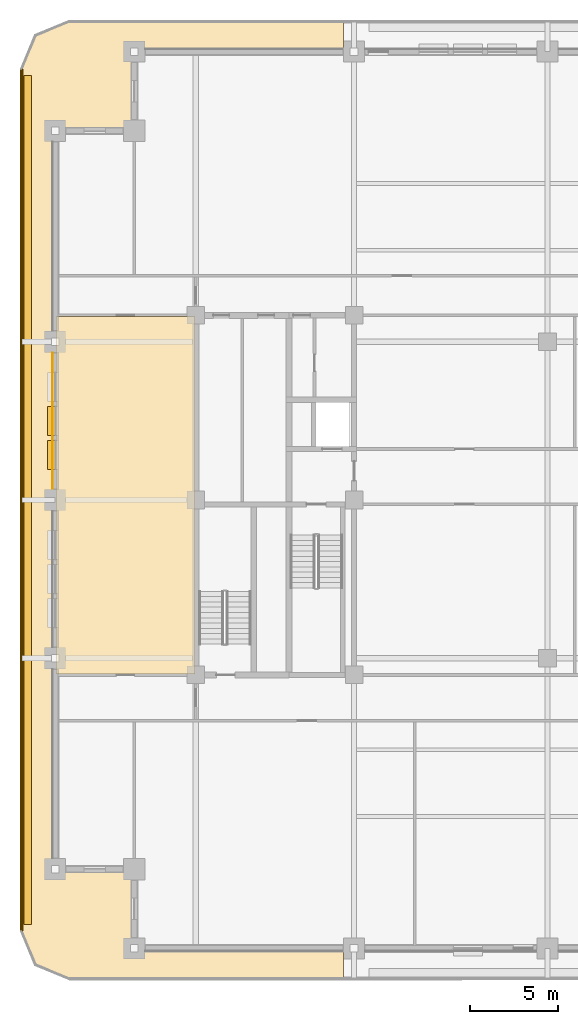
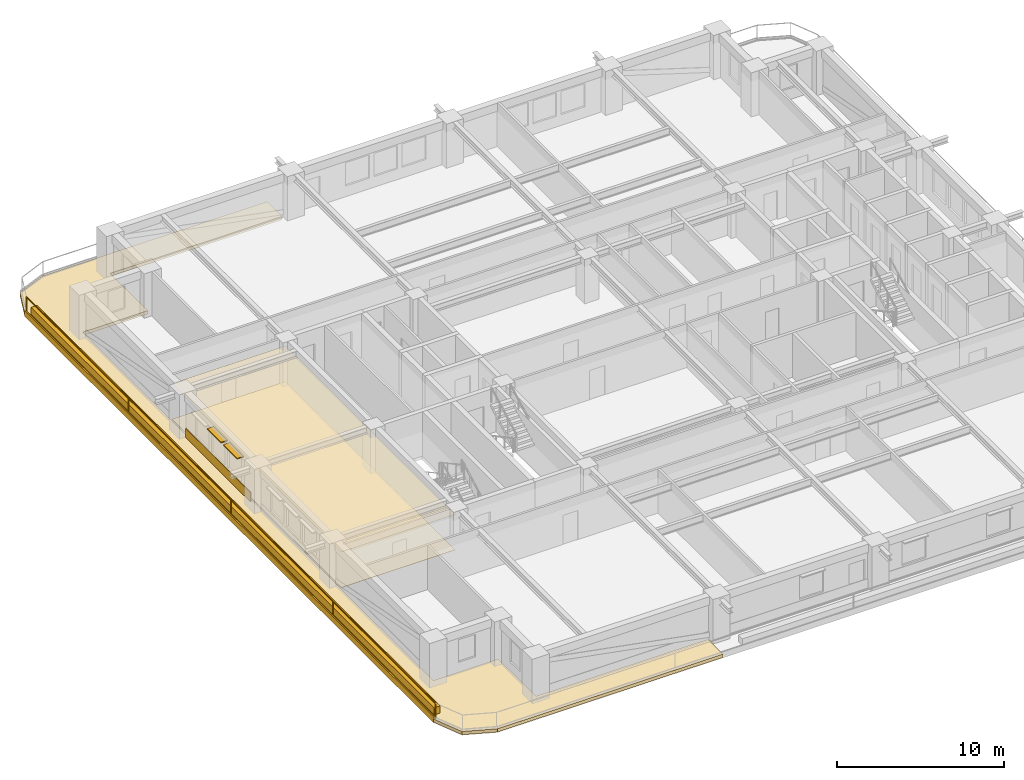
# One storey, part 9 of 15: 6 coverings, 2 shading devices, 1 railing.
"""IFC4 building model written with IfcOpenShell, lengths in metres."""

from ifc_helpers import new_model, si_unit, direction, frame, frame_2d, origin, origin_2d, place, context, subcontext, project, spatial, polyline, rectangle, outline, extrude, material, layer, layer_set, type_object, element, save


model = new_model("IFC4")

# Units and contexts
model_context = context("Model", 3, precision=1e-05, world=origin(), true_north=direction((0.0, 1.0)))
body_context = subcontext(model_context, "Body", "Model", "MODEL_VIEW")
ifc_project = project(units=[si_unit("LENGTHUNIT", "METRE"), si_unit("AREAUNIT", "SQUARE_METRE"), si_unit("VOLUMEUNIT", "CUBIC_METRE"), si_unit("PLANEANGLEUNIT", "RADIAN"), si_unit("MASSUNIT", "GRAM", prefix="KILO")], contexts=[model_context])

# Site, building, storey
site_placement = place(None, origin())
site = spatial("IfcSite", under=ifc_project, at=site_placement, CompositionType="ELEMENT")
building_placement = place(site_placement, origin())
building = spatial("IfcBuilding", under=site, at=building_placement, Name="Zulmaris Gate Convention Tower", CompositionType="ELEMENT")
storey_placement = place(building_placement, frame((0.0, 0.0, 139.199951171875)))
storey = spatial("IfcBuildingStorey", under=building, at=storey_placement, Name="L35", CompositionType="ELEMENT", Elevation=139.199951171875)

# Coverings
ifc_material_1 = material(Name="Precast concrete C40/50", Category="concrete")
ifc_layer_1 = layer(ifc_material_1, 0.0400390625, Name="Precast concrete C40/50")
ifc_layer_set_1 = layer_set([ifc_layer_1], Name="Precast concrete C40/50")
covering_type_1 = type_object("IfcCoveringType", Name="CLAD-SPANDREL-PRECAST", PredefinedType="CLADDING", material=ifc_layer_set_1)
covering_1_placement = place(storey_placement, frame((-28.14990234375, 8.3701171875, 0.0), z_axis=(0.0, 0.0, 1.0), x_axis=(0.0, -1.0, 0.0)))
element("IfcCovering", 1, at=covering_1_placement, inside=storey, type_object=covering_type_1, Name="CLD-L35-W-2_0", PredefinedType="CLADDING", context=body_context, shape_type="SweptSolid", body=[
    extrude(rectangle(XDim=7.740234375, YDim=0.0400390625, at=frame_2d((3.8701171875, 0.0))), origin(), (0.0, 0.0, 1.0), 0.679931640625),
])
ifc_material_2 = material(Name="White Glazed Architectural Precast Concrete C40/50", Category="concrete")
ifc_layer_2 = layer(ifc_material_2, 0.239990234375, Name="White Glazed Architectural Precast Concrete C40/50")
ifc_layer_set_2 = layer_set([ifc_layer_2], Name="White Glazed Architectural Precast Concrete C40/50")
covering_type_2 = type_object("IfcCoveringType", Name="CLAD-TRAY-DECK", PredefinedType="CLADDING", material=ifc_layer_set_2)
covering_2_placement = place(storey_placement, frame((0.0, 0.0, -0.25)))
element("IfcCovering", 2, at=covering_2_placement, inside=storey, type_object=covering_type_2, Name="L35 West Rounded-Fascia Planter Tray Deck", PredefinedType="CLADDING", context=body_context, shape_type="SweptSolid", body=[
    extrude(outline(polyline([(-30.0, 24.5), (-29.179931640625, 26.47998046875), (-27.199951171875, 27.300048828125), (-11.60205078125, 27.300048828125), (-11.60205078125, 25.5), (-23.5, 25.5), (-23.5, 21.0), (-28.0, 21.0), (-28.0, -21.0), (-23.5, -21.0), (-23.5, -25.5), (-11.60205078125, -25.5), (-11.60205078125, -27.300048828125), (-27.199951171875, -27.300048828125), (-29.179931640625, -26.47998046875), (-30.0, -24.5), (-30.0, 24.5)])), origin(), (0.0, 0.0, 1.0), 0.239990234375),
])
ifc_layer_3 = layer(ifc_material_2, 0.080078125, Name="White Glazed Architectural Precast Concrete C40/50")
ifc_layer_set_3 = layer_set([ifc_layer_3], Name="White Glazed Architectural Precast Concrete C40/50")
covering_type_3 = type_object("IfcCoveringType", Name="CLAD-TRAY-FASCIA", PredefinedType="CLADDING", material=ifc_layer_set_3)
covering_3_placement = place(storey_placement, frame((-29.9599609375, 24.5, -0.2900390625), z_axis=(0.0, 0.0, 1.0), x_axis=(0.0, -1.0, 0.0)))
element("IfcCovering", 3, at=covering_3_placement, inside=storey, type_object=covering_type_3, Name="FSC-L35-TR-11", PredefinedType="CLADDING", context=body_context, shape_type="SweptSolid", body=[
    extrude(rectangle(XDim=49.0, YDim=0.080078125, at=frame_2d((24.5, 0.0))), origin(), (0.0, 0.0, 1.0), 0.440185546875),
])
ifc_material_3 = material(Name="Mineral Fibre Acoustic Ceiling Tile")
ifc_layer_4 = layer(ifc_material_3, 0.02001953125, Name="Mineral Fibre Acoustic Ceiling Tile")
ifc_layer_set_4 = layer_set([ifc_layer_4], Name="Mineral Fibre Acoustic Ceiling Tile")
covering_type_4 = type_object("IfcCoveringType", Name="CLG-ACOUSTIC-600", PredefinedType="CEILING", material=ifc_layer_set_4)
covering_4_placement = place(storey_placement, frame((0.0, 0.0, 2.604736328125)))
element("IfcCovering", 4, at=covering_4_placement, inside=storey, type_object=covering_type_4, Name="CLG-L35-R47", PredefinedType="CEILING", context=body_context, shape_type="SweptSolid", body=[
    extrude(outline(polyline([(-27.93994140625, -9.889892578125), (-20.06005859375, -9.889892578125), (-20.06005859375, 10.43994140625), (-27.93994140625, 10.43994140625), (-27.93994140625, -9.889892578125)])), origin(), (0.0, 0.0, 1.0), 0.02001953125),
])
ifc_material_4 = material(Name="Woven Acoustic Wool Carpet Tile")
ifc_layer_5 = layer(ifc_material_4, 0.02001953125, Name="Woven Acoustic Wool Carpet Tile")
ifc_layer_set_5 = layer_set([ifc_layer_5], Name="Woven Acoustic Wool Carpet Tile")
covering_type_5 = type_object("IfcCoveringType", Name="FLR-CARPET-12", PredefinedType="FLOORING", material=ifc_layer_set_5)
covering_5_placement = place(storey_placement, origin())
element("IfcCovering", 5, at=covering_5_placement, inside=storey, type_object=covering_type_5, Name="FLR-L35-R47", PredefinedType="FLOORING", context=body_context, shape_type="SweptSolid", body=[
    extrude(outline(polyline([(-27.93994140625, -9.889892578125), (-20.06005859375, -9.889892578125), (-20.06005859375, 10.43994140625), (-27.93994140625, 10.43994140625), (-27.93994140625, -9.889892578125)])), origin(), (0.0, 0.0, 1.0), 0.02001953125),
])
ifc_material_5 = material(Name="Botanical Green Glazed Precast Concrete C40/50", Category="concrete")
ifc_layer_6 = layer(ifc_material_5, 0.419921875, Name="Botanical Green Glazed Precast Concrete C40/50")
ifc_layer_set_6 = layer_set([ifc_layer_6], Name="Botanical Green Glazed Precast Concrete C40/50")
covering_type_6 = type_object("IfcCoveringType", Name="PLANTER-BOX-200", PredefinedType="CLADDING", material=ifc_layer_set_6)
covering_6_placement = place(storey_placement, frame((0.0, 0.0, -0.010009765625)))
element("IfcCovering", 6, at=covering_6_placement, inside=storey, type_object=covering_type_6, Name="L35 W Full-Length Balcony Tree Planter Trough", PredefinedType="CLADDING", context=body_context, shape_type="SweptSolid", body=[
    extrude(outline(polyline([(-29.760009765625, -24.14990234375), (-29.340087890625, -24.14990234375), (-29.340087890625, 24.14990234375), (-29.760009765625, 24.14990234375), (-29.760009765625, -24.14990234375)])), origin(), (0.0, 0.0, 1.0), 0.52001953125),
])

# Railing
ifc_material_6 = material(Name="Laminated Glass and Stainless Steel", Category="steel")
railing_type = type_object("IfcRailingType", Name="RL-BALC-1150", PredefinedType="BALUSTRADE", material=ifc_material_6)
railing_placement = place(storey_placement, frame((-29.8798828125, 24.5, -0.010009765625)))
element("IfcRailing", 7, at=railing_placement, inside=storey, type_object=railing_type, Name="RL-L35-BALC-W", PredefinedType="BALUSTRADE", context=body_context, shape_type="SweptSolid", body=[
    extrude(rectangle(XDim=0.048095703125, YDim=0.048095703125, at=origin_2d()), frame((0.0, 0.0, 1.1259765625), z_axis=(0.0, -1.0, 0.0), x_axis=(1.0, 0.0, 0.0)), (0.0, 0.0, 1.0), 49.0),
    extrude(rectangle(XDim=0.048095703125, YDim=0.048095703125, at=origin_2d()), frame((0.0, 0.0, 0.02392578125), z_axis=(0.0, -1.0, 0.0), x_axis=(1.0, 0.0, 0.0)), (0.0, 0.0, 1.0), 49.0),
    extrude(rectangle(XDim=0.0419921875, YDim=0.0419921875, at=origin_2d()), origin(), (0.0, 0.0, 1.0), 1.101806640625),
    extrude(rectangle(XDim=0.0419921875, YDim=0.0419921875, at=origin_2d()), frame((0.0, -12.25, 0.0)), (0.0, 0.0, 1.0), 1.101806640625),
    extrude(rectangle(XDim=0.0419921875, YDim=0.0419921875, at=origin_2d()), frame((0.0, -24.5, 0.0)), (0.0, 0.0, 1.0), 1.101806640625),
    extrude(rectangle(XDim=0.0419921875, YDim=0.0419921875, at=origin_2d()), frame((0.0, -36.75, 0.0)), (0.0, 0.0, 1.0), 1.101806640625),
    extrude(rectangle(XDim=0.0419921875, YDim=0.0419921875, at=origin_2d()), frame((0.0, -49.0, 0.0)), (0.0, 0.0, 1.0), 1.101806640625),
])

# Shading devices
ifc_material_7 = material(Name="Glazed Ceramic Terracotta", Category="masonry")
ifc_layer_7 = layer(ifc_material_7, 0.070068359375, Name="Glazed Ceramic Terracotta")
ifc_layer_set_7 = layer_set([ifc_layer_7], Name="Glazed Ceramic Terracotta")
shading_device_type = type_object("IfcShadingDeviceType", Name="SHD-SUNSHADE-TC", PredefinedType="AWNING", material=ifc_layer_set_7)
for number, where, z_axis, x_axis, name in (
    (8, (-28.219970703125, 5.324951171875, 2.530029296875), (0.0, 0.0, 1.0), (0.0, -1.0, 0.0), "SHD-EW-L35-W-2_0-2"),
    (9, (-28.219970703125, 3.389892578125, 2.530029296875), (0.0, 0.0, 1.0), (0.0, -1.0, 0.0), "SHD-EW-L35-W-2_0-3"),
):
    element("IfcShadingDevice", number, at=place(storey_placement, frame(where, z_axis=z_axis, x_axis=x_axis)), inside=storey, type_object=shading_device_type, Name=name, PredefinedType="AWNING", context=body_context, shape_type="SweptSolid", body=[
        extrude(rectangle(XDim=1.64990234375, YDim=0.43994140625, at=frame_2d((0.824951171875, 0.0))), origin(), (0.0, 0.0, 1.0), 0.070068359375),
    ])

save(model, "model.ifc")
